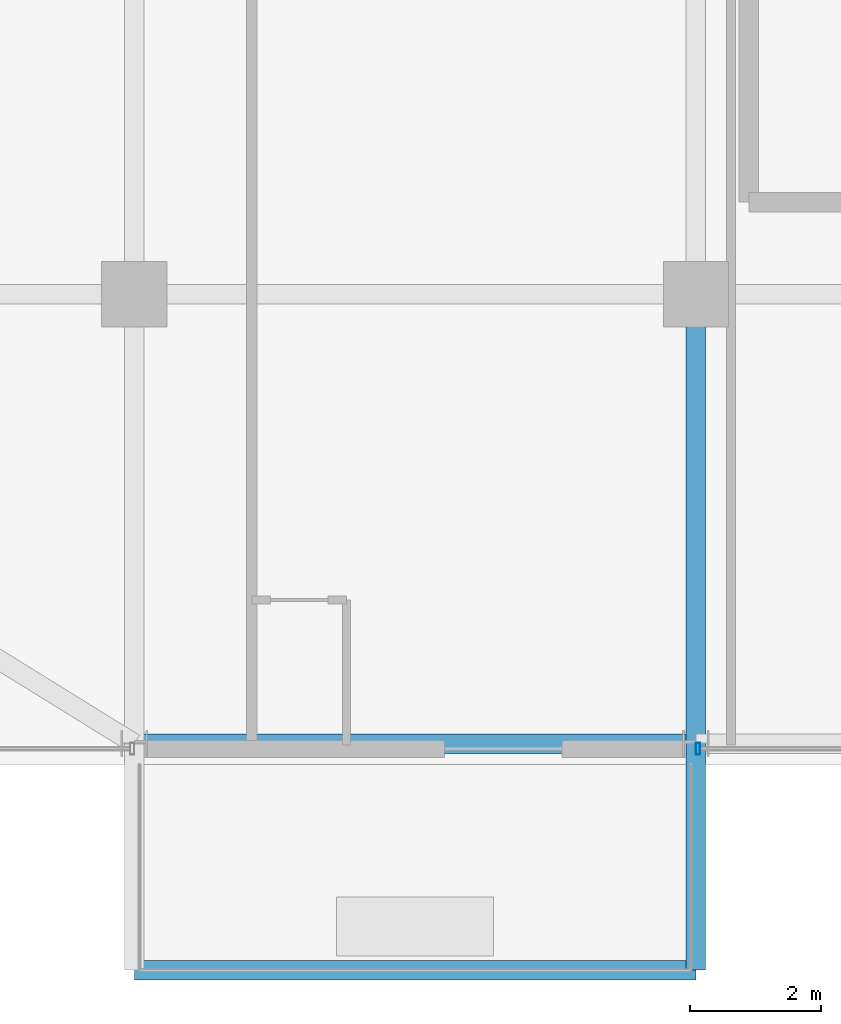
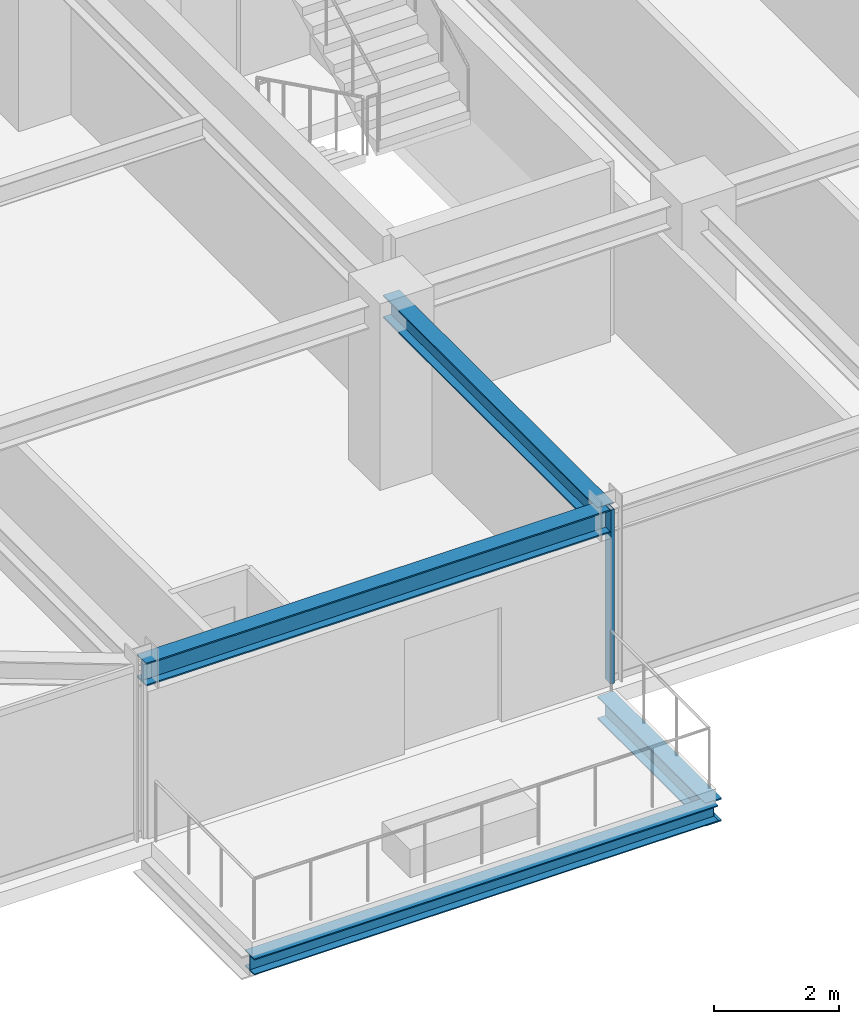
# One storey, part 4 of 34: 4 beams, 1 member, 1 element without a shape of its own.
"""IFC4 building model written with IfcOpenShell, lengths in metres."""

from ifc_helpers import new_model, si_unit, direction, frame, origin, origin_2d, place, context, subcontext, project, spatial, hollow_rectangle, i_section, extrude, source, transform, mapped, material, material_profile, profile_set, type_object, element, aggregate, save


model = new_model("IFC4")

# Units and contexts
model_context = context("Model", 3, precision=1e-05, world=origin(), true_north=direction((0.0, 1.0)))
body_context = subcontext(model_context, "Body", "Model", "MODEL_VIEW")
ifc_project = project(units=[si_unit("LENGTHUNIT", "METRE"), si_unit("AREAUNIT", "SQUARE_METRE"), si_unit("VOLUMEUNIT", "CUBIC_METRE"), si_unit("PLANEANGLEUNIT", "RADIAN"), si_unit("MASSUNIT", "GRAM", prefix="KILO")], contexts=[model_context])

# Site, building, storey
site_placement = place(None, origin())
site = spatial("IfcSite", under=ifc_project, at=site_placement, CompositionType="ELEMENT")
building_placement = place(site_placement, origin())
building = spatial("IfcBuilding", under=site, at=building_placement, Name="Nahalor Promenade Grand Hotel", CompositionType="ELEMENT")
storey_placement = place(building_placement, frame((0.0, 0.0, 238.199951171875)))
storey = spatial("IfcBuildingStorey", under=building, at=storey_placement, Name="L61", CompositionType="ELEMENT", Elevation=238.199951171875)

# Beams
ifc_material_1 = material(Name="Steel S355JR", Category="steel")
ifc_material_profile_1 = material_profile(ifc_material_1, i_section(OverallWidth=0.3, OverallDepth=0.32, WebThickness=0.0115, FlangeThickness=0.0205, at=origin_2d()), Name="HEB 320")
ifc_profile_set_1 = profile_set([ifc_material_profile_1], Name="Steel S355JR")
beam_type_1 = type_object("IfcBeamType", Name="Beam-BalcEdge-HEB320", PredefinedType="SPANDREL", material=ifc_profile_set_1)
shared_shape_1 = source(origin(), body_context, "Body", "SweptSolid", [
    extrude(i_section(OverallWidth=0.3, OverallDepth=0.32, WebThickness=0.0115, FlangeThickness=0.0205, at=origin_2d()), origin(), (0.0, 0.0, 1.0), 8.60009765625),
])
beam_1_placement = place(storey_placement, frame((-17.0, -27.35009765625, -0.43994140625), z_axis=(1.0, 0.0, 0.0), x_axis=(0.0, 1.0, 0.0)))
element("IfcBeam", 1, at=beam_1_placement, inside=storey, type_object=beam_type_1, Name="BM-L61-BC-01-F", PredefinedType="SPANDREL", context=body_context, shape_type="MappedRepresentation", body=[
    mapped(shared_shape_1, transform((0.0, 0.0, 0.0), scale=1.0)),
])
ifc_material_profile_2 = material_profile(ifc_material_1, i_section(OverallWidth=0.3, OverallDepth=0.45, WebThickness=0.014, FlangeThickness=0.026, at=origin_2d()), Name="HEB 450")
ifc_profile_set_2 = profile_set([ifc_material_profile_2], Name="Steel S355JR")
beam_type_2 = type_object("IfcBeamType", Name="Beam-Outrigger-HEB450", PredefinedType="BEAM", material=ifc_profile_set_2)
shared_shape_2 = source(origin(), body_context, "Body", "SweptSolid", [
    extrude(i_section(OverallWidth=0.3, OverallDepth=0.45, WebThickness=0.014, FlangeThickness=0.026, at=origin_2d()), origin(), (0.0, 0.0, 1.0), 3.47021484375),
])
beam_2_placement = place(storey_placement, frame((-8.39990234375, -27.35009765625, -0.5048828125), z_axis=(0.0, 1.0, 0.0), x_axis=(-1.0, 0.0, 0.0)))
element("IfcBeam", 2, at=beam_2_placement, inside=storey, type_object=beam_type_2, Name="BM-L61-BC-01-2", PredefinedType="BEAM", context=body_context, shape_type="MappedRepresentation", body=[
    mapped(shared_shape_2, transform((0.0, 0.0, 0.0), scale=1.0)),
])
ifc_material_profile_3 = material_profile(ifc_material_1, i_section(OverallWidth=0.3, OverallDepth=0.45, WebThickness=0.014, FlangeThickness=0.026, at=origin_2d()), Name="HEB 450")
ifc_profile_set_3 = profile_set([ifc_material_profile_3], Name="Steel S355JR")
beam_type_3 = type_object("IfcBeamType", Name="Beam-Spandrel-HEB450", PredefinedType="SPANDREL", material=ifc_profile_set_3)
shared_shape_3 = source(origin(), body_context, "Body", "SweptSolid", [
    extrude(i_section(OverallWidth=0.3, OverallDepth=0.45, WebThickness=0.014, FlangeThickness=0.026, at=origin_2d()), origin(), (0.0, 0.0, 1.0), 8.60009765625),
])
beam_3_placement = place(storey_placement, frame((-17.0, -23.8798828125, 3.18505859375), z_axis=(1.0, 0.0, 0.0), x_axis=(0.0, 1.0, 0.0)))
element("IfcBeam", 3, at=beam_3_placement, inside=storey, type_object=beam_type_3, Name="BM-L61-SP-S-0", PredefinedType="SPANDREL", context=body_context, shape_type="MappedRepresentation", body=[
    mapped(shared_shape_3, transform((0.0, 0.0, 0.0), scale=1.0)),
])
ifc_material_profile_4 = material_profile(ifc_material_1, i_section(OverallWidth=0.3, OverallDepth=0.45, WebThickness=0.014, FlangeThickness=0.026, at=origin_2d()), Name="HEB 450")
ifc_profile_set_4 = profile_set([ifc_material_profile_4], Name="Steel S355JR")
beam_type_4 = type_object("IfcBeamType", Name="Beam-Girder-HEB450", PredefinedType="BEAM", material=ifc_profile_set_4)
shared_shape_4 = source(origin(), body_context, "Body", "SweptSolid", [
    extrude(i_section(OverallWidth=0.3, OverallDepth=0.45, WebThickness=0.014, FlangeThickness=0.026, at=origin_2d()), origin(), (0.0, 0.0, 1.0), 6.8798828125),
])
beam_4_placement = place(storey_placement, frame((-8.39990234375, -23.8798828125, 3.18505859375), z_axis=(0.0, 1.0, 0.0), x_axis=(-1.0, 0.0, 0.0)))
element("IfcBeam", 4, at=beam_4_placement, inside=storey, type_object=beam_type_4, Name="BM-L61-GY-1-0", PredefinedType="BEAM", context=body_context, shape_type="MappedRepresentation", body=[
    mapped(shared_shape_4, transform((0.0, 0.0, 0.0), scale=1.0)),
])

# Curtain wall, member
ifc_material_2 = material(Name="Anodised Bronze Aluminium EN AW-6063 T6", Category="aluminium")
curtain_wall_type = type_object("IfcCurtainWallType", Name="CW2 Typical Hotel Flush Bronze Unitised Curtain Wall", PredefinedType="USERDEFINED", material=ifc_material_2)
curtain_wall_placement = place(storey_placement, origin())
curtain_wall = element("IfcCurtainWall", 5, at=curtain_wall_placement, inside=storey, type_object=curtain_wall_type, Name="L61 Curtain Wall CW-L61-S-3", ObjectType="UNITISED_CURTAIN_WALL", PredefinedType="USERDEFINED")
ifc_material_profile_5 = material_profile(ifc_material_2, hollow_rectangle(XDim=0.065, YDim=0.18, WallThickness=0.004, at=origin_2d()), Name="CWM 65x180x4")
ifc_profile_set_5 = profile_set([ifc_material_profile_5], Name="Anodised Bronze Aluminium EN AW-6063 T6")
member_type = type_object("IfcMemberType", Name="CWM2 Typical Bronze Mullion 65x180", PredefinedType="MULLION", material=ifc_profile_set_5)
shared_shape_5 = source(origin(), body_context, "Body", "SweptSolid", [
    extrude(hollow_rectangle(XDim=0.065, YDim=0.18, WallThickness=0.004, at=origin_2d()), origin(), (0.0, 0.0, 1.0), 3.41015625),
])
member_placement = place(storey_placement, frame((-8.367431640625, -23.9599609375, 0.0), z_axis=(0.0, 0.0, 1.0), x_axis=(1.0, 0.0, 0.0)))
member = element("IfcMember", 6, at=member_placement, type_object=member_type, Name="CW-L61-S-3 Mullion 0", PredefinedType="MULLION", context=body_context, shape_type="MappedRepresentation", body=[
    mapped(shared_shape_5, transform((0.0, 0.0, 0.0), scale=1.0)),
])
aggregate(curtain_wall, [member])

save(model, "model.ifc")
